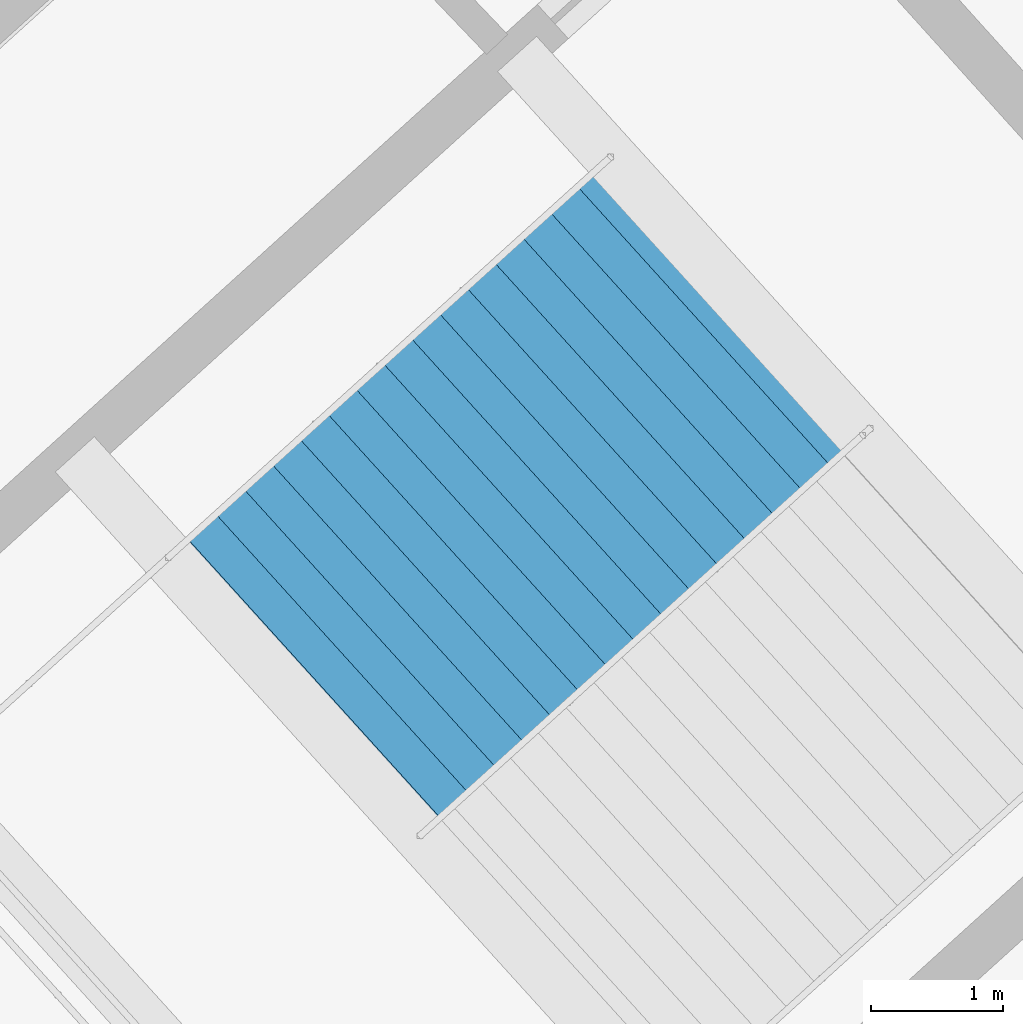
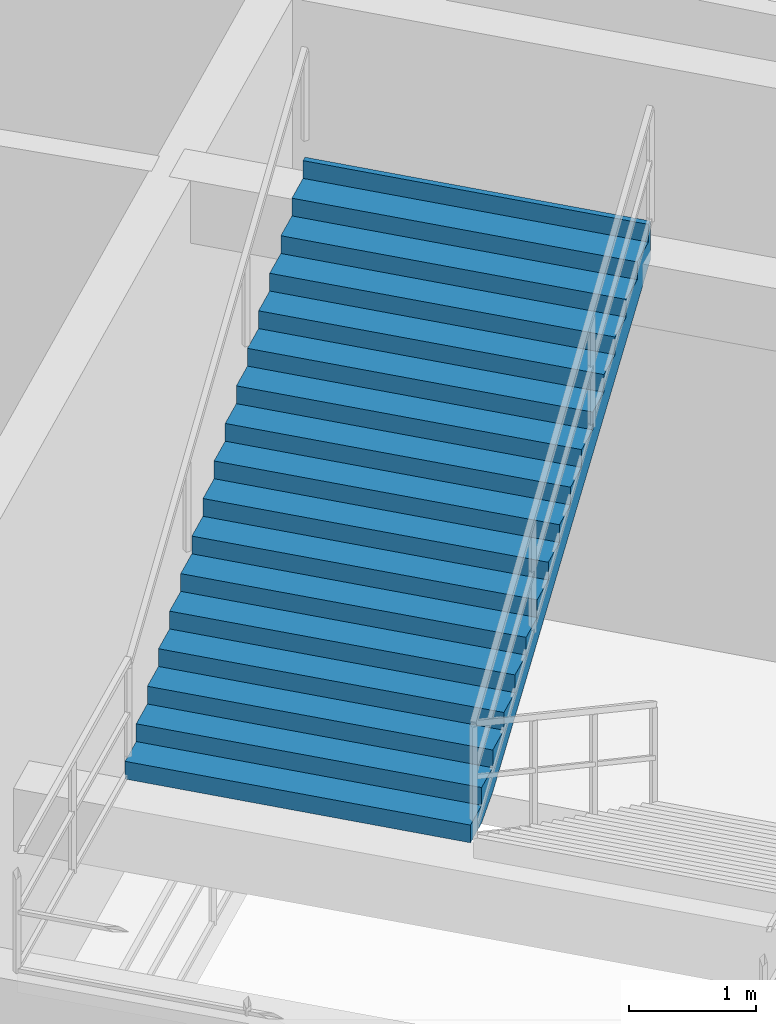
# One storey, part 35 of 48: 1 stair flight, 1 element without a shape of its own.
"""IFC4 building model written with IfcOpenShell, lengths in metres."""

from ifc_helpers import new_model, si_unit, direction, frame, origin, place, context, subcontext, project, spatial, polygons, material, type_object, element, aggregate, save


model = new_model("IFC4")

# Units and contexts
model_context = context("Model", 3, precision=1e-05, world=origin(), true_north=direction((0.0, 1.0)))
body_context = subcontext(model_context, "Body", "Model", "MODEL_VIEW")
ifc_project = project(units=[si_unit("LENGTHUNIT", "METRE"), si_unit("AREAUNIT", "SQUARE_METRE"), si_unit("VOLUMEUNIT", "CUBIC_METRE"), si_unit("PLANEANGLEUNIT", "RADIAN"), si_unit("MASSUNIT", "GRAM", prefix="KILO")], contexts=[model_context])

# Site, building, storey
site_placement = place(None, origin())
site = spatial("IfcSite", under=ifc_project, at=site_placement, CompositionType="ELEMENT")
building_placement = place(site_placement, origin())
building = spatial("IfcBuilding", under=site, at=building_placement, Name="Kazemori Nagisa Stadium", CompositionType="ELEMENT")
storey_placement = place(building_placement, origin())
storey = spatial("IfcBuildingStorey", under=building, at=storey_placement, Name="L00", CompositionType="ELEMENT", Elevation=0.0)

# Stair, stair flight
ifc_material = material(Name="Concrete C36/45 (Fc36)", Category="concrete")
stair_type = type_object("IfcStairType", Name="Stair_CORE_34", PredefinedType="TWO_STRAIGHT_RUN_STAIR", material=ifc_material)
stair_placement = place(storey_placement, origin())
stair = element("IfcStair", 1, at=stair_placement, inside=storey, type_object=stair_type, Name="Exit stair ST02 L00", PredefinedType="TWO_STRAIGHT_RUN_STAIR")
stair_flight_type = type_object("IfcStairFlightType", Name="Flight_CORE_17", PredefinedType="STRAIGHT", material=ifc_material)
stair_flight_placement = place(storey_placement, frame((57.83447265625, 163.554931640625, 2.889892578125), z_axis=(0.0, 0.0, 1.0), x_axis=(0.741355642131, 0.671112369041, 0.0)))
stair_flight = element("IfcStairFlight", 2, at=stair_flight_placement, type_object=stair_flight_type, Name="Exit stair ST02 L00 flight 2", NumberOfRisers=17, NumberOfTreads=16, PredefinedType="STRAIGHT", RiserHeight=0.17, TreadLength=0.285, context=body_context, shape_type="Tessellation", body=[
    polygons([(0.0, -1.425048828125, 0.0), (0.0, -1.425048828125, 0.169921875), (0.284912109375, -1.425048828125, 0.169921875), (0.284912109375, -1.425048828125, 0.340087890625), (0.570068359375, -1.425048828125, 0.340087890625), (0.570068359375, -1.425048828125, 0.510009765625), (0.85498046875, -1.425048828125, 0.510009765625), (0.85498046875, -1.425048828125, 0.679931640625), (1.139892578125, -1.425048828125, 0.679931640625), (1.139892578125, -1.425048828125, 0.85009765625), (1.425048828125, -1.425048828125, 0.85009765625), (1.425048828125, -1.425048828125, 1.02001953125), (1.7099609375, -1.425048828125, 1.02001953125), (1.7099609375, -1.425048828125, 1.18994140625), (1.9951171875, -1.425048828125, 1.18994140625), (1.9951171875, -1.425048828125, 1.360107421875), (2.280029296875, -1.425048828125, 1.360107421875), (2.280029296875, -1.425048828125, 1.530029296875), (2.56494140625, -1.425048828125, 1.530029296875), (2.56494140625, -1.425048828125, 1.699951171875), (2.85009765625, -1.425048828125, 1.699951171875), (2.85009765625, -1.425048828125, 1.8701171875), (3.135009765625, -1.425048828125, 1.8701171875), (3.135009765625, -1.425048828125, 2.0400390625), (3.419921875, -1.425048828125, 2.0400390625), (3.419921875, -1.425048828125, 2.2099609375), (3.705078125, -1.425048828125, 2.2099609375), (3.705078125, -1.425048828125, 2.3798828125), (3.989990234375, -1.425048828125, 2.3798828125), (3.989990234375, -1.425048828125, 2.550048828125), (4.27490234375, -1.425048828125, 2.550048828125), (4.27490234375, -1.425048828125, 2.719970703125), (4.56005859375, -1.425048828125, 2.719970703125), (4.56005859375, -1.425048828125, 2.889892578125), (4.610107421875, -1.425048828125, 2.889892578125), (4.610107421875, -1.425048828125, 2.51708984375), (4.56005859375, -1.425048828125, 2.487060546875), (4.27490234375, -1.425048828125, 2.317138671875), (3.989990234375, -1.425048828125, 2.147216796875), (3.705078125, -1.425048828125, 1.977294921875), (3.419921875, -1.425048828125, 1.80712890625), (3.135009765625, -1.425048828125, 1.63720703125), (2.85009765625, -1.425048828125, 1.46728515625), (2.56494140625, -1.425048828125, 1.297119140625), (2.280029296875, -1.425048828125, 1.127197265625), (1.9951171875, -1.425048828125, 0.957275390625), (1.7099609375, -1.425048828125, 0.787109375), (1.425048828125, -1.425048828125, 0.6171875), (1.139892578125, -1.425048828125, 0.447265625), (0.85498046875, -1.425048828125, 0.277099609375), (0.570068359375, -1.425048828125, 0.107177734375), (0.284912109375, -1.425048828125, 0.0), (0.0, -0.08544921875, 0.0), (0.0, -0.08544921875, 0.169921875), (0.284912109375, -0.08544921875, 0.169921875), (0.284912109375, -0.08544921875, 0.340087890625), (0.570068359375, -0.08544921875, 0.340087890625), (0.570068359375, -0.08544921875, 0.510009765625), (0.85498046875, -0.08544921875, 0.510009765625), (0.85498046875, -0.08544921875, 0.679931640625), (1.139892578125, -0.08544921875, 0.679931640625), (1.139892578125, -0.08544921875, 0.85009765625), (1.425048828125, -0.08544921875, 0.85009765625), (1.425048828125, -0.08544921875, 1.02001953125), (1.7099609375, -0.08544921875, 1.02001953125), (1.7099609375, -0.08544921875, 1.18994140625), (1.9951171875, -0.08544921875, 1.18994140625), (1.9951171875, -0.08544921875, 1.360107421875), (2.280029296875, -0.08544921875, 1.360107421875), (2.280029296875, -0.08544921875, 1.530029296875), (2.56494140625, -0.08544921875, 1.530029296875), (2.56494140625, -0.08544921875, 1.699951171875), (2.85009765625, -0.08544921875, 1.699951171875), (2.85009765625, -0.08544921875, 1.8701171875), (3.135009765625, -0.08544921875, 1.8701171875), (3.135009765625, -0.08544921875, 2.0400390625), (3.419921875, -0.08544921875, 2.0400390625), (3.419921875, -0.08544921875, 2.2099609375), (3.705078125, -0.08544921875, 2.2099609375), (3.705078125, -0.08544921875, 2.3798828125), (3.989990234375, -0.08544921875, 2.3798828125), (3.989990234375, -0.08544921875, 2.550048828125), (4.27490234375, -0.08544921875, 2.550048828125), (4.27490234375, -0.08544921875, 2.719970703125), (4.56005859375, -0.08544921875, 2.719970703125), (4.56005859375, -0.08544921875, 2.889892578125), (4.610107421875, -0.08544921875, 2.889892578125), (4.610107421875, -0.08544921875, 2.51708984375), (4.56005859375, -0.08544921875, 2.487060546875), (4.27490234375, -0.08544921875, 2.317138671875), (3.989990234375, -0.08544921875, 2.147216796875), (3.705078125, -0.08544921875, 1.977294921875), (3.419921875, -0.08544921875, 1.80712890625), (3.135009765625, -0.08544921875, 1.63720703125), (2.85009765625, -0.08544921875, 1.46728515625), (2.56494140625, -0.08544921875, 1.297119140625), (2.280029296875, -0.08544921875, 1.127197265625), (1.9951171875, -0.08544921875, 0.957275390625), (1.7099609375, -0.08544921875, 0.787109375), (1.425048828125, -0.08544921875, 0.6171875), (1.139892578125, -0.08544921875, 0.447265625), (0.85498046875, -0.08544921875, 0.277099609375), (0.570068359375, -0.08544921875, 0.107177734375), (0.284912109375, -0.08544921875, 0.0), (0.0, 0.0, 0.0), (0.0, 0.0, 0.169921875), (0.284912109375, 0.0, 0.169921875), (0.284912109375, 0.0, 0.340087890625), (0.570068359375, 0.0, 0.340087890625), (0.570068359375, 0.0, 0.510009765625), (0.85498046875, 0.0, 0.510009765625), (0.85498046875, 0.0, 0.679931640625), (1.139892578125, 0.0, 0.679931640625), (1.139892578125, 0.0, 0.85009765625), (1.425048828125, 0.0, 0.85009765625), (1.425048828125, 0.0, 1.02001953125), (1.7099609375, 0.0, 1.02001953125), (1.7099609375, 0.0, 1.18994140625), (1.9951171875, 0.0, 1.18994140625), (1.9951171875, 0.0, 1.360107421875), (2.280029296875, 0.0, 1.360107421875), (2.280029296875, 0.0, 1.530029296875), (2.56494140625, 0.0, 1.530029296875), (2.56494140625, 0.0, 1.699951171875), (2.85009765625, 0.0, 1.699951171875), (2.85009765625, 0.0, 1.8701171875), (3.135009765625, 0.0, 1.8701171875), (3.135009765625, 0.0, 2.0400390625), (3.419921875, 0.0, 2.0400390625), (3.419921875, 0.0, 2.2099609375), (3.705078125, 0.0, 2.2099609375), (3.705078125, 0.0, 2.3798828125), (3.989990234375, 0.0, 2.3798828125), (3.989990234375, 0.0, 2.550048828125), (4.27490234375, 0.0, 2.550048828125), (4.27490234375, 0.0, 2.719970703125), (4.56005859375, 0.0, 2.719970703125), (4.56005859375, 0.0, 2.889892578125), (4.610107421875, 0.0, 2.889892578125), (4.610107421875, 0.0, 2.51708984375), (4.56005859375, 0.0, 2.487060546875), (4.27490234375, 0.0, 2.317138671875), (3.989990234375, 0.0, 2.147216796875), (3.705078125, 0.0, 1.977294921875), (3.419921875, 0.0, 1.80712890625), (3.135009765625, 0.0, 1.63720703125), (2.85009765625, 0.0, 1.46728515625), (2.56494140625, 0.0, 1.297119140625), (2.280029296875, 0.0, 1.127197265625), (1.9951171875, 0.0, 0.957275390625), (1.7099609375, 0.0, 0.787109375), (1.425048828125, 0.0, 0.6171875), (1.139892578125, 0.0, 0.447265625), (0.85498046875, 0.0, 0.277099609375), (0.570068359375, 0.0, 0.107177734375), (0.284912109375, 0.0, 0.0), (0.0, 0.08544921875, 0.0), (0.0, 0.08544921875, 0.169921875), (0.284912109375, 0.08544921875, 0.169921875), (0.284912109375, 0.08544921875, 0.340087890625), (0.570068359375, 0.08544921875, 0.340087890625), (0.570068359375, 0.08544921875, 0.510009765625), (0.85498046875, 0.08544921875, 0.510009765625), (0.85498046875, 0.08544921875, 0.679931640625), (1.139892578125, 0.08544921875, 0.679931640625), (1.139892578125, 0.08544921875, 0.85009765625), (1.425048828125, 0.08544921875, 0.85009765625), (1.425048828125, 0.08544921875, 1.02001953125), (1.7099609375, 0.08544921875, 1.02001953125), (1.7099609375, 0.08544921875, 1.18994140625), (1.9951171875, 0.08544921875, 1.18994140625), (1.9951171875, 0.08544921875, 1.360107421875), (2.280029296875, 0.08544921875, 1.360107421875), (2.280029296875, 0.08544921875, 1.530029296875), (2.56494140625, 0.08544921875, 1.530029296875), (2.56494140625, 0.08544921875, 1.699951171875), (2.85009765625, 0.08544921875, 1.699951171875), (2.85009765625, 0.08544921875, 1.8701171875), (3.135009765625, 0.08544921875, 1.8701171875), (3.135009765625, 0.08544921875, 2.0400390625), (3.419921875, 0.08544921875, 2.0400390625), (3.419921875, 0.08544921875, 2.2099609375), (3.705078125, 0.08544921875, 2.2099609375), (3.705078125, 0.08544921875, 2.3798828125), (3.989990234375, 0.08544921875, 2.3798828125), (3.989990234375, 0.08544921875, 2.550048828125), (4.27490234375, 0.08544921875, 2.550048828125), (4.27490234375, 0.08544921875, 2.719970703125), (4.56005859375, 0.08544921875, 2.719970703125), (4.56005859375, 0.08544921875, 2.889892578125), (4.610107421875, 0.08544921875, 2.889892578125), (4.610107421875, 0.08544921875, 2.51708984375), (4.56005859375, 0.08544921875, 2.487060546875), (4.27490234375, 0.08544921875, 2.317138671875), (3.989990234375, 0.08544921875, 2.147216796875), (3.705078125, 0.08544921875, 1.977294921875), (3.419921875, 0.08544921875, 1.80712890625), (3.135009765625, 0.08544921875, 1.63720703125), (2.85009765625, 0.08544921875, 1.46728515625), (2.56494140625, 0.08544921875, 1.297119140625), (2.280029296875, 0.08544921875, 1.127197265625), (1.9951171875, 0.08544921875, 0.957275390625), (1.7099609375, 0.08544921875, 0.787109375), (1.425048828125, 0.08544921875, 0.6171875), (1.139892578125, 0.08544921875, 0.447265625), (0.85498046875, 0.08544921875, 0.277099609375), (0.570068359375, 0.08544921875, 0.107177734375), (0.284912109375, 0.08544921875, 0.0), (0.0, 1.425048828125, 0.0), (0.0, 1.425048828125, 0.169921875), (0.284912109375, 1.425048828125, 0.169921875), (0.284912109375, 1.425048828125, 0.340087890625), (0.570068359375, 1.425048828125, 0.340087890625), (0.570068359375, 1.425048828125, 0.510009765625), (0.85498046875, 1.425048828125, 0.510009765625), (0.85498046875, 1.425048828125, 0.679931640625), (1.139892578125, 1.425048828125, 0.679931640625), (1.139892578125, 1.425048828125, 0.85009765625), (1.425048828125, 1.425048828125, 0.85009765625), (1.425048828125, 1.425048828125, 1.02001953125), (1.7099609375, 1.425048828125, 1.02001953125), (1.7099609375, 1.425048828125, 1.18994140625), (1.9951171875, 1.425048828125, 1.18994140625), (1.9951171875, 1.425048828125, 1.360107421875), (2.280029296875, 1.425048828125, 1.360107421875), (2.280029296875, 1.425048828125, 1.530029296875), (2.56494140625, 1.425048828125, 1.530029296875), (2.56494140625, 1.425048828125, 1.699951171875), (2.85009765625, 1.425048828125, 1.699951171875), (2.85009765625, 1.425048828125, 1.8701171875), (3.135009765625, 1.425048828125, 1.8701171875), (3.135009765625, 1.425048828125, 2.0400390625), (3.419921875, 1.425048828125, 2.0400390625), (3.419921875, 1.425048828125, 2.2099609375), (3.705078125, 1.425048828125, 2.2099609375), (3.705078125, 1.425048828125, 2.3798828125), (3.989990234375, 1.425048828125, 2.3798828125), (3.989990234375, 1.425048828125, 2.550048828125), (4.27490234375, 1.425048828125, 2.550048828125), (4.27490234375, 1.425048828125, 2.719970703125), (4.56005859375, 1.425048828125, 2.719970703125), (4.56005859375, 1.425048828125, 2.889892578125), (4.610107421875, 1.425048828125, 2.889892578125), (4.610107421875, 1.425048828125, 2.51708984375), (4.56005859375, 1.425048828125, 2.487060546875), (4.27490234375, 1.425048828125, 2.317138671875), (3.989990234375, 1.425048828125, 2.147216796875), (3.705078125, 1.425048828125, 1.977294921875), (3.419921875, 1.425048828125, 1.80712890625), (3.135009765625, 1.425048828125, 1.63720703125), (2.85009765625, 1.425048828125, 1.46728515625), (2.56494140625, 1.425048828125, 1.297119140625), (2.280029296875, 1.425048828125, 1.127197265625), (1.9951171875, 1.425048828125, 0.957275390625), (1.7099609375, 1.425048828125, 0.787109375), (1.425048828125, 1.425048828125, 0.6171875), (1.139892578125, 1.425048828125, 0.447265625), (0.85498046875, 1.425048828125, 0.277099609375), (0.570068359375, 1.425048828125, 0.107177734375), (0.284912109375, 1.425048828125, 0.0)], [[[1, 2, 54]], [[1, 54, 53]], [[2, 3, 55]], [[2, 55, 54]], [[3, 4, 56]], [[3, 56, 55]], [[4, 5, 57]], [[4, 57, 56]], [[5, 6, 58]], [[5, 58, 57]], [[6, 7, 59]], [[6, 59, 58]], [[7, 8, 60]], [[7, 60, 59]], [[8, 9, 61]], [[8, 61, 60]], [[9, 10, 62]], [[9, 62, 61]], [[10, 11, 63]], [[10, 63, 62]], [[11, 12, 64]], [[11, 64, 63]], [[12, 13, 65]], [[12, 65, 64]], [[13, 14, 66]], [[13, 66, 65]], [[14, 15, 67]], [[14, 67, 66]], [[15, 16, 68]], [[15, 68, 67]], [[16, 17, 69]], [[16, 69, 68]], [[17, 18, 70]], [[17, 70, 69]], [[18, 19, 71]], [[18, 71, 70]], [[19, 20, 72]], [[19, 72, 71]], [[20, 21, 73]], [[20, 73, 72]], [[21, 22, 74]], [[21, 74, 73]], [[22, 23, 75]], [[22, 75, 74]], [[23, 24, 76]], [[23, 76, 75]], [[24, 25, 77]], [[24, 77, 76]], [[25, 26, 78]], [[25, 78, 77]], [[26, 27, 79]], [[26, 79, 78]], [[27, 28, 80]], [[27, 80, 79]], [[28, 29, 81]], [[28, 81, 80]], [[29, 30, 82]], [[29, 82, 81]], [[30, 31, 83]], [[30, 83, 82]], [[31, 32, 84]], [[31, 84, 83]], [[32, 33, 85]], [[32, 85, 84]], [[33, 34, 86]], [[33, 86, 85]], [[34, 35, 87]], [[34, 87, 86]], [[35, 36, 88]], [[35, 88, 87]], [[36, 37, 89]], [[36, 89, 88]], [[37, 38, 90]], [[37, 90, 89]], [[38, 39, 91]], [[38, 91, 90]], [[39, 40, 92]], [[39, 92, 91]], [[40, 41, 93]], [[40, 93, 92]], [[41, 42, 94]], [[41, 94, 93]], [[42, 43, 95]], [[42, 95, 94]], [[43, 44, 96]], [[43, 96, 95]], [[44, 45, 97]], [[44, 97, 96]], [[45, 46, 98]], [[45, 98, 97]], [[46, 47, 99]], [[46, 99, 98]], [[47, 48, 100]], [[47, 100, 99]], [[48, 49, 101]], [[48, 101, 100]], [[49, 50, 102]], [[49, 102, 101]], [[50, 51, 103]], [[50, 103, 102]], [[51, 52, 104]], [[51, 104, 103]], [[52, 1, 53]], [[52, 53, 104]], [[53, 54, 106]], [[53, 106, 105]], [[54, 55, 107]], [[54, 107, 106]], [[55, 56, 108]], [[55, 108, 107]], [[56, 57, 109]], [[56, 109, 108]], [[57, 58, 110]], [[57, 110, 109]], [[58, 59, 111]], [[58, 111, 110]], [[59, 60, 112]], [[59, 112, 111]], [[60, 61, 113]], [[60, 113, 112]], [[61, 62, 114]], [[61, 114, 113]], [[62, 63, 115]], [[62, 115, 114]], [[63, 64, 116]], [[63, 116, 115]], [[64, 65, 117]], [[64, 117, 116]], [[65, 66, 118]], [[65, 118, 117]], [[66, 67, 119]], [[66, 119, 118]], [[67, 68, 120]], [[67, 120, 119]], [[68, 69, 121]], [[68, 121, 120]], [[69, 70, 122]], [[69, 122, 121]], [[70, 71, 123]], [[70, 123, 122]], [[71, 72, 124]], [[71, 124, 123]], [[72, 73, 125]], [[72, 125, 124]], [[73, 74, 126]], [[73, 126, 125]], [[74, 75, 127]], [[74, 127, 126]], [[75, 76, 128]], [[75, 128, 127]], [[76, 77, 129]], [[76, 129, 128]], [[77, 78, 130]], [[77, 130, 129]], [[78, 79, 131]], [[78, 131, 130]], [[79, 80, 132]], [[79, 132, 131]], [[80, 81, 133]], [[80, 133, 132]], [[81, 82, 134]], [[81, 134, 133]], [[82, 83, 135]], [[82, 135, 134]], [[83, 84, 136]], [[83, 136, 135]], [[84, 85, 137]], [[84, 137, 136]], [[85, 86, 138]], [[85, 138, 137]], [[86, 87, 139]], [[86, 139, 138]], [[87, 88, 140]], [[87, 140, 139]], [[88, 89, 141]], [[88, 141, 140]], [[89, 90, 142]], [[89, 142, 141]], [[90, 91, 143]], [[90, 143, 142]], [[91, 92, 144]], [[91, 144, 143]], [[92, 93, 145]], [[92, 145, 144]], [[93, 94, 146]], [[93, 146, 145]], [[94, 95, 147]], [[94, 147, 146]], [[95, 96, 148]], [[95, 148, 147]], [[96, 97, 149]], [[96, 149, 148]], [[97, 98, 150]], [[97, 150, 149]], [[98, 99, 151]], [[98, 151, 150]], [[99, 100, 152]], [[99, 152, 151]], [[100, 101, 153]], [[100, 153, 152]], [[101, 102, 154]], [[101, 154, 153]], [[102, 103, 155]], [[102, 155, 154]], [[103, 104, 156]], [[103, 156, 155]], [[104, 53, 105]], [[104, 105, 156]], [[105, 106, 158]], [[105, 158, 157]], [[106, 107, 159]], [[106, 159, 158]], [[107, 108, 160]], [[107, 160, 159]], [[108, 109, 161]], [[108, 161, 160]], [[109, 110, 162]], [[109, 162, 161]], [[110, 111, 163]], [[110, 163, 162]], [[111, 112, 164]], [[111, 164, 163]], [[112, 113, 165]], [[112, 165, 164]], [[113, 114, 166]], [[113, 166, 165]], [[114, 115, 167]], [[114, 167, 166]], [[115, 116, 168]], [[115, 168, 167]], [[116, 117, 169]], [[116, 169, 168]], [[117, 118, 170]], [[117, 170, 169]], [[118, 119, 171]], [[118, 171, 170]], [[119, 120, 172]], [[119, 172, 171]], [[120, 121, 173]], [[120, 173, 172]], [[121, 122, 174]], [[121, 174, 173]], [[122, 123, 175]], [[122, 175, 174]], [[123, 124, 176]], [[123, 176, 175]], [[124, 125, 177]], [[124, 177, 176]], [[125, 126, 178]], [[125, 178, 177]], [[126, 127, 179]], [[126, 179, 178]], [[127, 128, 180]], [[127, 180, 179]], [[128, 129, 181]], [[128, 181, 180]], [[129, 130, 182]], [[129, 182, 181]], [[130, 131, 183]], [[130, 183, 182]], [[131, 132, 184]], [[131, 184, 183]], [[132, 133, 185]], [[132, 185, 184]], [[133, 134, 186]], [[133, 186, 185]], [[134, 135, 187]], [[134, 187, 186]], [[135, 136, 188]], [[135, 188, 187]], [[136, 137, 189]], [[136, 189, 188]], [[137, 138, 190]], [[137, 190, 189]], [[138, 139, 191]], [[138, 191, 190]], [[139, 140, 192]], [[139, 192, 191]], [[140, 141, 193]], [[140, 193, 192]], [[141, 142, 194]], [[141, 194, 193]], [[142, 143, 195]], [[142, 195, 194]], [[143, 144, 196]], [[143, 196, 195]], [[144, 145, 197]], [[144, 197, 196]], [[145, 146, 198]], [[145, 198, 197]], [[146, 147, 199]], [[146, 199, 198]], [[147, 148, 200]], [[147, 200, 199]], [[148, 149, 201]], [[148, 201, 200]], [[149, 150, 202]], [[149, 202, 201]], [[150, 151, 203]], [[150, 203, 202]], [[151, 152, 204]], [[151, 204, 203]], [[152, 153, 205]], [[152, 205, 204]], [[153, 154, 206]], [[153, 206, 205]], [[154, 155, 207]], [[154, 207, 206]], [[155, 156, 208]], [[155, 208, 207]], [[156, 105, 157]], [[156, 157, 208]], [[157, 158, 210]], [[157, 210, 209]], [[158, 159, 211]], [[158, 211, 210]], [[159, 160, 212]], [[159, 212, 211]], [[160, 161, 213]], [[160, 213, 212]], [[161, 162, 214]], [[161, 214, 213]], [[162, 163, 215]], [[162, 215, 214]], [[163, 164, 216]], [[163, 216, 215]], [[164, 165, 217]], [[164, 217, 216]], [[165, 166, 218]], [[165, 218, 217]], [[166, 167, 219]], [[166, 219, 218]], [[167, 168, 220]], [[167, 220, 219]], [[168, 169, 221]], [[168, 221, 220]], [[169, 170, 222]], [[169, 222, 221]], [[170, 171, 223]], [[170, 223, 222]], [[171, 172, 224]], [[171, 224, 223]], [[172, 173, 225]], [[172, 225, 224]], [[173, 174, 226]], [[173, 226, 225]], [[174, 175, 227]], [[174, 227, 226]], [[175, 176, 228]], [[175, 228, 227]], [[176, 177, 229]], [[176, 229, 228]], [[177, 178, 230]], [[177, 230, 229]], [[178, 179, 231]], [[178, 231, 230]], [[179, 180, 232]], [[179, 232, 231]], [[180, 181, 233]], [[180, 233, 232]], [[181, 182, 234]], [[181, 234, 233]], [[182, 183, 235]], [[182, 235, 234]], [[183, 184, 236]], [[183, 236, 235]], [[184, 185, 237]], [[184, 237, 236]], [[185, 186, 238]], [[185, 238, 237]], [[186, 187, 239]], [[186, 239, 238]], [[187, 188, 240]], [[187, 240, 239]], [[188, 189, 241]], [[188, 241, 240]], [[189, 190, 242]], [[189, 242, 241]], [[190, 191, 243]], [[190, 243, 242]], [[191, 192, 244]], [[191, 244, 243]], [[192, 193, 245]], [[192, 245, 244]], [[193, 194, 246]], [[193, 246, 245]], [[194, 195, 247]], [[194, 247, 246]], [[195, 196, 248]], [[195, 248, 247]], [[196, 197, 249]], [[196, 249, 248]], [[197, 198, 250]], [[197, 250, 249]], [[198, 199, 251]], [[198, 251, 250]], [[199, 200, 252]], [[199, 252, 251]], [[200, 201, 253]], [[200, 253, 252]], [[201, 202, 254]], [[201, 254, 253]], [[202, 203, 255]], [[202, 255, 254]], [[203, 204, 256]], [[203, 256, 255]], [[204, 205, 257]], [[204, 257, 256]], [[205, 206, 258]], [[205, 258, 257]], [[206, 207, 259]], [[206, 259, 258]], [[207, 208, 260]], [[207, 260, 259]], [[208, 157, 209]], [[208, 209, 260]], [[3, 2, 1]], [[209, 210, 211]], [[52, 3, 1]], [[209, 211, 260]], [[51, 3, 52]], [[260, 211, 259]], [[5, 3, 51]], [[259, 211, 213]], [[5, 4, 3]], [[211, 212, 213]], [[50, 5, 51]], [[259, 213, 258]], [[7, 5, 50]], [[258, 213, 215]], [[7, 6, 5]], [[213, 214, 215]], [[49, 7, 50]], [[258, 215, 257]], [[9, 7, 49]], [[257, 215, 217]], [[9, 8, 7]], [[215, 216, 217]], [[48, 9, 49]], [[257, 217, 256]], [[11, 9, 48]], [[256, 217, 219]], [[11, 10, 9]], [[217, 218, 219]], [[47, 11, 48]], [[256, 219, 255]], [[13, 11, 47]], [[255, 219, 221]], [[13, 12, 11]], [[219, 220, 221]], [[46, 13, 47]], [[255, 221, 254]], [[15, 13, 46]], [[254, 221, 223]], [[15, 14, 13]], [[221, 222, 223]], [[45, 15, 46]], [[254, 223, 253]], [[17, 15, 45]], [[253, 223, 225]], [[17, 16, 15]], [[223, 224, 225]], [[44, 17, 45]], [[253, 225, 252]], [[19, 17, 44]], [[252, 225, 227]], [[19, 18, 17]], [[225, 226, 227]], [[43, 19, 44]], [[252, 227, 251]], [[21, 19, 43]], [[251, 227, 229]], [[21, 20, 19]], [[227, 228, 229]], [[42, 21, 43]], [[251, 229, 250]], [[23, 21, 42]], [[250, 229, 231]], [[23, 22, 21]], [[229, 230, 231]], [[41, 23, 42]], [[250, 231, 249]], [[25, 23, 41]], [[249, 231, 233]], [[25, 24, 23]], [[231, 232, 233]], [[40, 25, 41]], [[249, 233, 248]], [[27, 25, 40]], [[248, 233, 235]], [[27, 26, 25]], [[233, 234, 235]], [[39, 27, 40]], [[248, 235, 247]], [[29, 27, 39]], [[247, 235, 237]], [[29, 28, 27]], [[235, 236, 237]], [[38, 29, 39]], [[247, 237, 246]], [[31, 29, 38]], [[246, 237, 239]], [[31, 30, 29]], [[237, 238, 239]], [[37, 31, 38]], [[246, 239, 245]], [[33, 31, 37]], [[245, 239, 241]], [[33, 32, 31]], [[239, 240, 241]], [[36, 33, 37]], [[245, 241, 244]], [[35, 33, 36]], [[244, 241, 243]], [[35, 34, 33]], [[241, 242, 243]]], closed=True),
])
aggregate(stair, [stair_flight])

save(model, "model.ifc")
